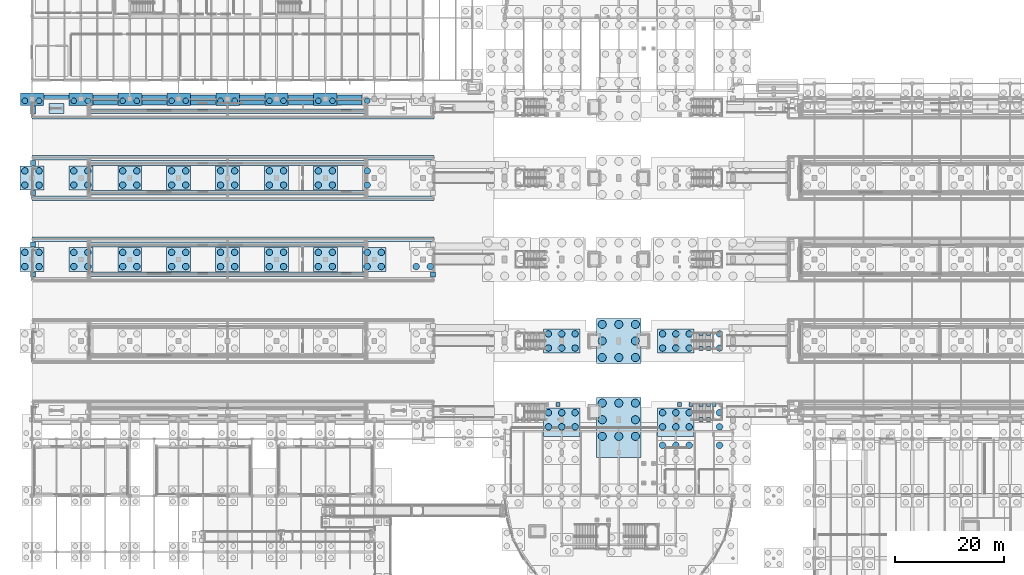
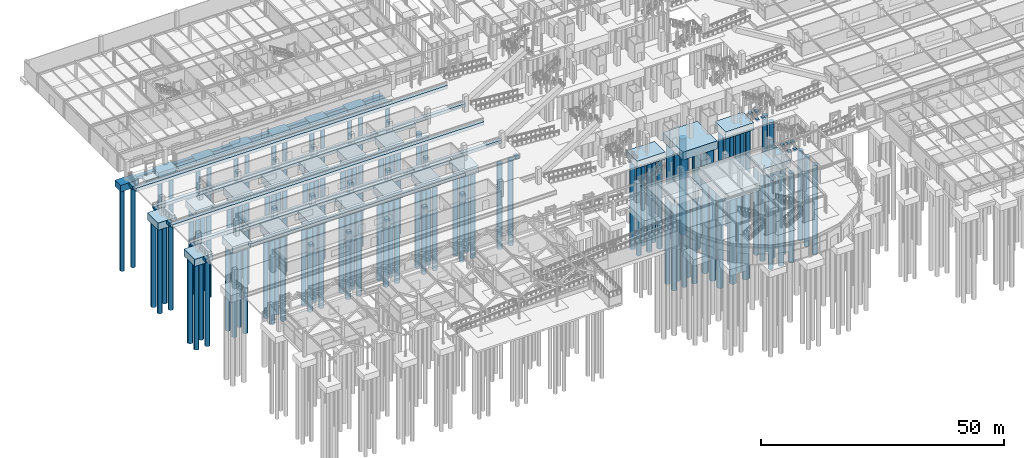
# One storey, part 3 of 160: 127 piles, 69 footings.
"""IFC4 building model written with IfcOpenShell, lengths in metres."""

from ifc_helpers import new_model, si_unit, direction, frame, origin, origin_2d, place, context, subcontext, project, spatial, rectangle, circle, extrude, material, material_profile, profile_set, type_object, element, save


model = new_model("IFC4")

# Units and contexts
model_context = context("Model", 3, precision=1e-05, world=origin(), true_north=direction((0.0, 1.0)))
body_context = subcontext(model_context, "Body", "Model", "MODEL_VIEW")
ifc_project = project(units=[si_unit("LENGTHUNIT", "METRE"), si_unit("AREAUNIT", "SQUARE_METRE"), si_unit("VOLUMEUNIT", "CUBIC_METRE"), si_unit("PLANEANGLEUNIT", "RADIAN"), si_unit("MASSUNIT", "GRAM", prefix="KILO")], contexts=[model_context])

# Site, building, storey
site_placement = place(None, origin())
site = spatial("IfcSite", under=ifc_project, at=site_placement, CompositionType="ELEMENT")
building_placement = place(site_placement, origin())
building = spatial("IfcBuilding", under=site, at=building_placement, Name="Marlcrest Central Station", CompositionType="ELEMENT")
storey_placement = place(building_placement, origin())
storey = spatial("IfcBuildingStorey", under=building, at=storey_placement, Name="L00", CompositionType="ELEMENT", Elevation=0.0)

# Piles
ifc_material_1 = material(Name="Concrete C35/45", Category="concrete")
ifc_material_profile_1 = material_profile(ifc_material_1, circle(Radius=0.52490234375, at=origin_2d()), Name="PILE D1050")
ifc_profile_set_1 = profile_set([ifc_material_profile_1], Name="Concrete C35/45")
pile_type_1 = type_object("IfcPileType", Name="BP-03", PredefinedType="BORED", material=ifc_profile_set_1)
for number, where, z_axis, x_axis, name in (
    (1, (-1.300048828125, 95.199951171875, -1.5), (0.0, 0.0, -1.0), (1.0, 0.0, 0.0), "pile-BP-03-0435"),
    (2, (1.300048828125, 95.199951171875, -1.5), (0.0, 0.0, -1.0), (1.0, 0.0, 0.0), "pile-BP-03-0436"),
    (3, (7.699951171875, 95.199951171875, -1.5), (0.0, 0.0, -1.0), (1.0, 0.0, 0.0), "pile-BP-03-0449"),
    (4, (10.300048828125, 95.199951171875, -1.5), (0.0, 0.0, -1.0), (1.0, 0.0, 0.0), "pile-BP-03-0450"),
    (5, (16.699951171875, 95.199951171875, -1.5), (0.0, 0.0, -1.0), (1.0, 0.0, 0.0), "pile-BP-03-0463"),
    (6, (19.300048828125, 95.199951171875, -1.5), (0.0, 0.0, -1.0), (1.0, 0.0, 0.0), "pile-BP-03-0464"),
    (7, (25.699951171875, 95.199951171875, -1.5), (0.0, 0.0, -1.0), (1.0, 0.0, 0.0), "pile-BP-03-0477"),
    (8, (28.300048828125, 95.199951171875, -1.5), (0.0, 0.0, -1.0), (1.0, 0.0, 0.0), "pile-BP-03-0478"),
    (9, (34.699951171875, 95.199951171875, -1.5), (0.0, 0.0, -1.0), (1.0, 0.0, 0.0), "pile-BP-03-0491"),
    (10, (37.300048828125, 95.199951171875, -1.5), (0.0, 0.0, -1.0), (1.0, 0.0, 0.0), "pile-BP-03-0492"),
    (11, (43.699951171875, 95.199951171875, -1.5), (0.0, 0.0, -1.0), (1.0, 0.0, 0.0), "pile-BP-03-0505"),
    (12, (46.300048828125, 95.199951171875, -1.5), (0.0, 0.0, -1.0), (1.0, 0.0, 0.0), "pile-BP-03-0506"),
    (13, (52.699951171875, 95.199951171875, -1.5), (0.0, 0.0, -1.0), (1.0, 0.0, 0.0), "pile-BP-03-0519"),
    (14, (55.300048828125, 95.199951171875, -1.5), (0.0, 0.0, -1.0), (1.0, 0.0, 0.0), "pile-BP-03-0520"),
    (15, (61.699951171875, 95.199951171875, -1.5), (0.0, 0.0, -1.0), (1.0, 0.0, 0.0), "pile-BP-03-0533"),
):
    element("IfcPile", number, at=place(storey_placement, frame(where, z_axis=z_axis, x_axis=x_axis)), inside=storey, type_object=pile_type_1, Name=name, PredefinedType="BORED", context=body_context, shape_type="SweptSolid", body=[
        extrude(circle(Radius=0.52490234375, at=origin_2d()), origin(), (0.0, 0.0, 1.0), 20.5),
    ])
ifc_material_profile_2 = material_profile(ifc_material_1, circle(Radius=0.60009765625, at=origin_2d()), Name="PILE D1200")
ifc_profile_set_2 = profile_set([ifc_material_profile_2], Name="Concrete C35/45")
pile_type_2 = type_object("IfcPileType", Name="BP-04", PredefinedType="BORED", material=ifc_profile_set_2)
for number, where, z_axis, x_axis, name in (
    (16, (-1.300048828125, 64.699951171875, -1.699951171875), (0.0, 0.0, -1.0), (1.0, 0.0, 0.0), "pile-BP-04-0427"),
    (17, (1.300048828125, 64.699951171875, -1.699951171875), (0.0, 0.0, -1.0), (1.0, 0.0, 0.0), "pile-BP-04-0428"),
    (18, (-1.300048828125, 67.300048828125, -1.699951171875), (0.0, 0.0, -1.0), (1.0, 0.0, 0.0), "pile-BP-04-0429"),
    (19, (1.300048828125, 67.300048828125, -1.699951171875), (0.0, 0.0, -1.0), (1.0, 0.0, 0.0), "pile-BP-04-0430"),
    (20, (-1.300048828125, 79.699951171875, -1.699951171875), (0.0, 0.0, -1.0), (1.0, 0.0, 0.0), "pile-BP-04-0431"),
    (21, (1.300048828125, 79.699951171875, -1.699951171875), (0.0, 0.0, -1.0), (1.0, 0.0, 0.0), "pile-BP-04-0432"),
    (22, (-1.300048828125, 82.300048828125, -1.699951171875), (0.0, 0.0, -1.0), (1.0, 0.0, 0.0), "pile-BP-04-0433"),
    (23, (1.300048828125, 82.300048828125, -1.699951171875), (0.0, 0.0, -1.0), (1.0, 0.0, 0.0), "pile-BP-04-0434"),
    (24, (7.699951171875, 64.699951171875, -1.699951171875), (0.0, 0.0, -1.0), (1.0, 0.0, 0.0), "pile-BP-04-0441"),
    (25, (10.300048828125, 64.699951171875, -1.699951171875), (0.0, 0.0, -1.0), (1.0, 0.0, 0.0), "pile-BP-04-0442"),
    (26, (7.699951171875, 67.300048828125, -1.699951171875), (0.0, 0.0, -1.0), (1.0, 0.0, 0.0), "pile-BP-04-0443"),
    (27, (10.300048828125, 67.300048828125, -1.699951171875), (0.0, 0.0, -1.0), (1.0, 0.0, 0.0), "pile-BP-04-0444"),
    (28, (7.699951171875, 79.699951171875, -1.699951171875), (0.0, 0.0, -1.0), (1.0, 0.0, 0.0), "pile-BP-04-0445"),
    (29, (10.300048828125, 79.699951171875, -1.699951171875), (0.0, 0.0, -1.0), (1.0, 0.0, 0.0), "pile-BP-04-0446"),
    (30, (7.699951171875, 82.300048828125, -1.699951171875), (0.0, 0.0, -1.0), (1.0, 0.0, 0.0), "pile-BP-04-0447"),
    (31, (10.300048828125, 82.300048828125, -1.699951171875), (0.0, 0.0, -1.0), (1.0, 0.0, 0.0), "pile-BP-04-0448"),
    (32, (16.699951171875, 64.699951171875, -1.699951171875), (0.0, 0.0, -1.0), (1.0, 0.0, 0.0), "pile-BP-04-0455"),
    (33, (19.300048828125, 64.699951171875, -1.699951171875), (0.0, 0.0, -1.0), (1.0, 0.0, 0.0), "pile-BP-04-0456"),
    (34, (16.699951171875, 67.300048828125, -1.699951171875), (0.0, 0.0, -1.0), (1.0, 0.0, 0.0), "pile-BP-04-0457"),
    (35, (19.300048828125, 67.300048828125, -1.699951171875), (0.0, 0.0, -1.0), (1.0, 0.0, 0.0), "pile-BP-04-0458"),
    (36, (16.699951171875, 79.699951171875, -1.699951171875), (0.0, 0.0, -1.0), (1.0, 0.0, 0.0), "pile-BP-04-0459"),
    (37, (19.300048828125, 79.699951171875, -1.699951171875), (0.0, 0.0, -1.0), (1.0, 0.0, 0.0), "pile-BP-04-0460"),
    (38, (16.699951171875, 82.300048828125, -1.699951171875), (0.0, 0.0, -1.0), (1.0, 0.0, 0.0), "pile-BP-04-0461"),
    (39, (19.300048828125, 82.300048828125, -1.699951171875), (0.0, 0.0, -1.0), (1.0, 0.0, 0.0), "pile-BP-04-0462"),
    (40, (25.699951171875, 64.699951171875, -1.699951171875), (0.0, 0.0, -1.0), (1.0, 0.0, 0.0), "pile-BP-04-0469"),
    (41, (28.300048828125, 64.699951171875, -1.699951171875), (0.0, 0.0, -1.0), (1.0, 0.0, 0.0), "pile-BP-04-0470"),
    (42, (25.699951171875, 67.300048828125, -1.699951171875), (0.0, 0.0, -1.0), (1.0, 0.0, 0.0), "pile-BP-04-0471"),
    (43, (28.300048828125, 67.300048828125, -1.699951171875), (0.0, 0.0, -1.0), (1.0, 0.0, 0.0), "pile-BP-04-0472"),
    (44, (25.699951171875, 79.699951171875, -1.699951171875), (0.0, 0.0, -1.0), (1.0, 0.0, 0.0), "pile-BP-04-0473"),
    (45, (28.300048828125, 79.699951171875, -1.699951171875), (0.0, 0.0, -1.0), (1.0, 0.0, 0.0), "pile-BP-04-0474"),
    (46, (25.699951171875, 82.300048828125, -1.699951171875), (0.0, 0.0, -1.0), (1.0, 0.0, 0.0), "pile-BP-04-0475"),
    (47, (28.300048828125, 82.300048828125, -1.699951171875), (0.0, 0.0, -1.0), (1.0, 0.0, 0.0), "pile-BP-04-0476"),
    (48, (34.699951171875, 64.699951171875, -1.699951171875), (0.0, 0.0, -1.0), (1.0, 0.0, 0.0), "pile-BP-04-0483"),
    (49, (37.300048828125, 64.699951171875, -1.699951171875), (0.0, 0.0, -1.0), (1.0, 0.0, 0.0), "pile-BP-04-0484"),
    (50, (34.699951171875, 67.300048828125, -1.699951171875), (0.0, 0.0, -1.0), (1.0, 0.0, 0.0), "pile-BP-04-0485"),
    (51, (37.300048828125, 67.300048828125, -1.699951171875), (0.0, 0.0, -1.0), (1.0, 0.0, 0.0), "pile-BP-04-0486"),
    (52, (34.699951171875, 79.699951171875, -1.699951171875), (0.0, 0.0, -1.0), (1.0, 0.0, 0.0), "pile-BP-04-0487"),
    (53, (37.300048828125, 79.699951171875, -1.699951171875), (0.0, 0.0, -1.0), (1.0, 0.0, 0.0), "pile-BP-04-0488"),
    (54, (34.699951171875, 82.300048828125, -1.699951171875), (0.0, 0.0, -1.0), (1.0, 0.0, 0.0), "pile-BP-04-0489"),
    (55, (37.300048828125, 82.300048828125, -1.699951171875), (0.0, 0.0, -1.0), (1.0, 0.0, 0.0), "pile-BP-04-0490"),
    (56, (43.699951171875, 64.699951171875, -1.699951171875), (0.0, 0.0, -1.0), (1.0, 0.0, 0.0), "pile-BP-04-0497"),
    (57, (46.300048828125, 64.699951171875, -1.699951171875), (0.0, 0.0, -1.0), (1.0, 0.0, 0.0), "pile-BP-04-0498"),
    (58, (43.699951171875, 67.300048828125, -1.699951171875), (0.0, 0.0, -1.0), (1.0, 0.0, 0.0), "pile-BP-04-0499"),
    (59, (46.300048828125, 67.300048828125, -1.699951171875), (0.0, 0.0, -1.0), (1.0, 0.0, 0.0), "pile-BP-04-0500"),
    (60, (43.699951171875, 79.699951171875, -1.699951171875), (0.0, 0.0, -1.0), (1.0, 0.0, 0.0), "pile-BP-04-0501"),
    (61, (46.300048828125, 79.699951171875, -1.699951171875), (0.0, 0.0, -1.0), (1.0, 0.0, 0.0), "pile-BP-04-0502"),
    (62, (43.699951171875, 82.300048828125, -1.699951171875), (0.0, 0.0, -1.0), (1.0, 0.0, 0.0), "pile-BP-04-0503"),
    (63, (46.300048828125, 82.300048828125, -1.699951171875), (0.0, 0.0, -1.0), (1.0, 0.0, 0.0), "pile-BP-04-0504"),
    (64, (52.699951171875, 64.699951171875, -1.699951171875), (0.0, 0.0, -1.0), (1.0, 0.0, 0.0), "pile-BP-04-0511"),
    (65, (55.300048828125, 64.699951171875, -1.699951171875), (0.0, 0.0, -1.0), (1.0, 0.0, 0.0), "pile-BP-04-0512"),
    (66, (52.699951171875, 67.300048828125, -1.699951171875), (0.0, 0.0, -1.0), (1.0, 0.0, 0.0), "pile-BP-04-0513"),
    (67, (55.300048828125, 67.300048828125, -1.699951171875), (0.0, 0.0, -1.0), (1.0, 0.0, 0.0), "pile-BP-04-0514"),
    (68, (52.699951171875, 79.699951171875, -1.699951171875), (0.0, 0.0, -1.0), (1.0, 0.0, 0.0), "pile-BP-04-0515"),
    (69, (55.300048828125, 79.699951171875, -1.699951171875), (0.0, 0.0, -1.0), (1.0, 0.0, 0.0), "pile-BP-04-0516"),
    (70, (52.699951171875, 82.300048828125, -1.699951171875), (0.0, 0.0, -1.0), (1.0, 0.0, 0.0), "pile-BP-04-0517"),
    (71, (55.300048828125, 82.300048828125, -1.699951171875), (0.0, 0.0, -1.0), (1.0, 0.0, 0.0), "pile-BP-04-0518"),
    (72, (61.699951171875, 64.699951171875, -1.699951171875), (0.0, 0.0, -1.0), (1.0, 0.0, 0.0), "pile-BP-04-0525"),
    (73, (64.300048828125, 64.699951171875, -1.699951171875), (0.0, 0.0, -1.0), (1.0, 0.0, 0.0), "pile-BP-04-0526"),
    (74, (61.699951171875, 67.300048828125, -1.699951171875), (0.0, 0.0, -1.0), (1.0, 0.0, 0.0), "pile-BP-04-0527"),
    (75, (64.300048828125, 67.300048828125, -1.699951171875), (0.0, 0.0, -1.0), (1.0, 0.0, 0.0), "pile-BP-04-0528"),
    (76, (61.699951171875, 79.699951171875, -1.699951171875), (0.0, 0.0, -1.0), (1.0, 0.0, 0.0), "pile-BP-04-0529"),
    (77, (61.699951171875, 82.300048828125, -1.699951171875), (0.0, 0.0, -1.0), (1.0, 0.0, 0.0), "pile-BP-04-0531"),
    (78, (70.699951171875, 64.699951171875, -1.699951171875), (0.0, 0.0, -1.0), (1.0, 0.0, 0.0), "pile-BP-04-0543"),
    (79, (73.300048828125, 64.699951171875, -1.699951171875), (0.0, 0.0, -1.0), (1.0, 0.0, 0.0), "pile-BP-04-0544"),
):
    element("IfcPile", number, at=place(storey_placement, frame(where, z_axis=z_axis, x_axis=x_axis)), inside=storey, type_object=pile_type_2, Name=name, PredefinedType="BORED", context=body_context, shape_type="SweptSolid", body=[
        extrude(circle(Radius=0.60009765625, at=origin_2d()), origin(), (0.0, 0.0, 1.0), 21.5),
    ])
for number, where, z_axis, x_axis, name in (
    (80, (95.050048828125, 35.199951171875, -1.699951171875), (0.0, 0.0, -1.0), (1.0, 0.0, 0.0), "pile-BP-04-0733"),
    (81, (97.5, 35.199951171875, -1.699951171875), (0.0, 0.0, -1.0), (1.0, 0.0, 0.0), "pile-BP-04-0734"),
    (82, (99.949951171875, 35.199951171875, -1.699951171875), (0.0, 0.0, -1.0), (1.0, 0.0, 0.0), "pile-BP-04-0735"),
    (83, (95.050048828125, 37.800048828125, -1.699951171875), (0.0, 0.0, -1.0), (1.0, 0.0, 0.0), "pile-BP-04-0736"),
    (84, (97.5, 37.800048828125, -1.699951171875), (0.0, 0.0, -1.0), (1.0, 0.0, 0.0), "pile-BP-04-0737"),
    (85, (99.949951171875, 37.800048828125, -1.699951171875), (0.0, 0.0, -1.0), (1.0, 0.0, 0.0), "pile-BP-04-0738"),
    (86, (95.050048828125, 49.699951171875, -1.699951171875), (0.0, 0.0, -1.0), (1.0, 0.0, 0.0), "pile-BP-04-0739"),
    (87, (97.5, 49.699951171875, -1.699951171875), (0.0, 0.0, -1.0), (1.0, 0.0, 0.0), "pile-BP-04-0740"),
    (88, (99.949951171875, 49.699951171875, -1.699951171875), (0.0, 0.0, -1.0), (1.0, 0.0, 0.0), "pile-BP-04-0741"),
    (89, (95.050048828125, 52.300048828125, -1.699951171875), (0.0, 0.0, -1.0), (1.0, 0.0, 0.0), "pile-BP-04-0742"),
    (90, (97.5, 52.300048828125, -1.699951171875), (0.0, 0.0, -1.0), (1.0, 0.0, 0.0), "pile-BP-04-0743"),
    (91, (99.949951171875, 52.300048828125, -1.699951171875), (0.0, 0.0, -1.0), (1.0, 0.0, 0.0), "pile-BP-04-0744"),
    (92, (116.050048828125, 35.199951171875, -1.699951171875), (0.0, 0.0, -1.0), (1.0, 0.0, 0.0), "pile-BP-04-0805"),
    (93, (118.5, 35.199951171875, -1.699951171875), (0.0, 0.0, -1.0), (1.0, 0.0, 0.0), "pile-BP-04-0806"),
    (94, (120.949951171875, 35.199951171875, -1.699951171875), (0.0, 0.0, -1.0), (1.0, 0.0, 0.0), "pile-BP-04-0807"),
    (95, (116.050048828125, 37.800048828125, -1.699951171875), (0.0, 0.0, -1.0), (1.0, 0.0, 0.0), "pile-BP-04-0808"),
    (96, (118.5, 37.800048828125, -1.699951171875), (0.0, 0.0, -1.0), (1.0, 0.0, 0.0), "pile-BP-04-0809"),
    (97, (120.949951171875, 37.800048828125, -1.699951171875), (0.0, 0.0, -1.0), (1.0, 0.0, 0.0), "pile-BP-04-0810"),
    (98, (116.050048828125, 49.699951171875, -1.699951171875), (0.0, 0.0, -1.0), (1.0, 0.0, 0.0), "pile-BP-04-0811"),
    (99, (118.5, 49.699951171875, -1.699951171875), (0.0, 0.0, -1.0), (1.0, 0.0, 0.0), "pile-BP-04-0812"),
    (100, (120.949951171875, 49.699951171875, -1.699951171875), (0.0, 0.0, -1.0), (1.0, 0.0, 0.0), "pile-BP-04-0813"),
    (101, (116.050048828125, 52.300048828125, -1.699951171875), (0.0, 0.0, -1.0), (1.0, 0.0, 0.0), "pile-BP-04-0814"),
    (102, (118.5, 52.300048828125, -1.699951171875), (0.0, 0.0, -1.0), (1.0, 0.0, 0.0), "pile-BP-04-0815"),
    (103, (120.949951171875, 52.300048828125, -1.699951171875), (0.0, 0.0, -1.0), (1.0, 0.0, 0.0), "pile-BP-04-0816"),
    (104, (126.550048828125, 35.199951171875, -1.699951171875), (0.0, 0.0, -1.0), (1.0, 0.0, 0.0), "pile-BP-04-0837"),
    (105, (126.550048828125, 37.800048828125, -1.699951171875), (0.0, 0.0, -1.0), (1.0, 0.0, 0.0), "pile-BP-04-0840"),
    (106, (126.550048828125, 49.699951171875, -1.699951171875), (0.0, 0.0, -1.0), (1.0, 0.0, 0.0), "pile-BP-04-0843"),
    (107, (126.550048828125, 52.300048828125, -1.699951171875), (0.0, 0.0, -1.0), (1.0, 0.0, 0.0), "pile-BP-04-0846"),
    (108, (116.050048828125, 31.800048828125, -1.699951171875), (0.0, 0.0, -1.0), (1.0, 0.0, 0.0), "pile-BP-04-0902"),
    (109, (118.5, 31.800048828125, -1.699951171875), (0.0, 0.0, -1.0), (1.0, 0.0, 0.0), "pile-BP-04-0903"),
    (110, (120.949951171875, 31.800048828125, -1.699951171875), (0.0, 0.0, -1.0), (1.0, 0.0, 0.0), "pile-BP-04-0904"),
    (111, (126.550048828125, 31.800048828125, -1.699951171875), (0.0, 0.0, -1.0), (1.0, 0.0, 0.0), "pile-BP-04-0908"),
):
    element("IfcPile", number, at=place(storey_placement, frame(where, z_axis=z_axis, x_axis=x_axis)), inside=storey, type_object=pile_type_2, Name=name, PredefinedType="BORED", context=body_context, shape_type="SweptSolid", body=[
        extrude(circle(Radius=0.60009765625, at=origin_2d()), origin(), (0.0, 0.0, 1.0), 22.5),
    ])
ifc_material_profile_3 = material_profile(ifc_material_1, circle(Radius=0.75, at=origin_2d()), Name="PILE D1500")
ifc_profile_set_3 = profile_set([ifc_material_profile_3], Name="Concrete C35/45")
pile_type_3 = type_object("IfcPileType", Name="BP-06", PredefinedType="BORED", material=ifc_profile_set_3)
for number, where, z_axis, x_axis, name in (
    (112, (104.949951171875, 33.449951171875, -1.89990234375), (0.0, 0.0, -1.0), (1.0, 0.0, 0.0), "pile-BP-06-0765"),
    (113, (108.0, 33.449951171875, -1.89990234375), (0.0, 0.0, -1.0), (1.0, 0.0, 0.0), "pile-BP-06-0766"),
    (114, (111.050048828125, 33.449951171875, -1.89990234375), (0.0, 0.0, -1.0), (1.0, 0.0, 0.0), "pile-BP-06-0767"),
    (115, (104.949951171875, 36.5, -1.89990234375), (0.0, 0.0, -1.0), (1.0, 0.0, 0.0), "pile-BP-06-0768"),
    (116, (111.050048828125, 36.5, -1.89990234375), (0.0, 0.0, -1.0), (1.0, 0.0, 0.0), "pile-BP-06-0769"),
    (117, (104.949951171875, 39.550048828125, -1.89990234375), (0.0, 0.0, -1.0), (1.0, 0.0, 0.0), "pile-BP-06-0770"),
    (118, (108.0, 39.550048828125, -1.89990234375), (0.0, 0.0, -1.0), (1.0, 0.0, 0.0), "pile-BP-06-0771"),
    (119, (111.050048828125, 39.550048828125, -1.89990234375), (0.0, 0.0, -1.0), (1.0, 0.0, 0.0), "pile-BP-06-0772"),
    (120, (104.949951171875, 47.949951171875, -1.89990234375), (0.0, 0.0, -1.0), (1.0, 0.0, 0.0), "pile-BP-06-0773"),
    (121, (108.0, 47.949951171875, -1.89990234375), (0.0, 0.0, -1.0), (1.0, 0.0, 0.0), "pile-BP-06-0774"),
    (122, (111.050048828125, 47.949951171875, -1.89990234375), (0.0, 0.0, -1.0), (1.0, 0.0, 0.0), "pile-BP-06-0775"),
    (123, (104.949951171875, 51.0, -1.89990234375), (0.0, 0.0, -1.0), (1.0, 0.0, 0.0), "pile-BP-06-0776"),
    (124, (111.050048828125, 51.0, -1.89990234375), (0.0, 0.0, -1.0), (1.0, 0.0, 0.0), "pile-BP-06-0777"),
    (125, (104.949951171875, 54.050048828125, -1.89990234375), (0.0, 0.0, -1.0), (1.0, 0.0, 0.0), "pile-BP-06-0778"),
    (126, (108.0, 54.050048828125, -1.89990234375), (0.0, 0.0, -1.0), (1.0, 0.0, 0.0), "pile-BP-06-0779"),
    (127, (111.050048828125, 54.050048828125, -1.89990234375), (0.0, 0.0, -1.0), (1.0, 0.0, 0.0), "pile-BP-06-0780"),
):
    element("IfcPile", number, at=place(storey_placement, frame(where, z_axis=z_axis, x_axis=x_axis)), inside=storey, type_object=pile_type_3, Name=name, PredefinedType="BORED", context=body_context, shape_type="SweptSolid", body=[
        extrude(circle(Radius=0.75, at=origin_2d()), origin(), (0.0, 0.0, 1.0), 24.0),
    ])

# Footings
ifc_material_2 = material(Name="Concrete C40/50", Category="concrete")
footing_type_1 = type_object("IfcFootingType", Name="PC-03", PredefinedType="PILE_CAP", material=ifc_material_2)
for number, where, z_axis, x_axis, name in (
    (128, (0.0, 95.5, -1.60009765625), (0.0, 0.0, 1.0), (1.0, 0.0, 0.0), "ftg-cap-0111"),
    (129, (9.0, 95.5, -1.60009765625), (0.0, 0.0, 1.0), (1.0, 0.0, 0.0), "ftg-cap-0115"),
    (130, (18.0, 95.5, -1.60009765625), (0.0, 0.0, 1.0), (1.0, 0.0, 0.0), "ftg-cap-0119"),
    (131, (27.0, 95.5, -1.60009765625), (0.0, 0.0, 1.0), (1.0, 0.0, 0.0), "ftg-cap-0123"),
    (132, (36.0, 95.5, -1.60009765625), (0.0, 0.0, 1.0), (1.0, 0.0, 0.0), "ftg-cap-0127"),
    (133, (45.0, 95.5, -1.60009765625), (0.0, 0.0, 1.0), (1.0, 0.0, 0.0), "ftg-cap-0131"),
    (134, (54.0, 95.5, -1.60009765625), (0.0, 0.0, 1.0), (1.0, 0.0, 0.0), "ftg-cap-0135"),
):
    element("IfcFooting", number, at=place(storey_placement, frame(where, z_axis=z_axis, x_axis=x_axis)), inside=storey, type_object=footing_type_1, Name=name, PredefinedType="PILE_CAP", context=body_context, shape_type="SweptSolid", body=[
        extrude(rectangle(XDim=4.300048828125, YDim=2.300048828125, at=origin_2d()), origin(), (0.0, 0.0, 1.0), 1.60009765625),
    ])
footing_type_2 = type_object("IfcFootingType", Name="PC-04", PredefinedType="PILE_CAP", material=ifc_material_2)
for number, where, z_axis, x_axis, name in (
    (135, (0.0, 66.0, -1.7998046875), (0.0, 0.0, 1.0), (1.0, 0.0, 0.0), "ftg-cap-0109"),
    (136, (0.0, 81.0, -1.7998046875), (0.0, 0.0, 1.0), (1.0, 0.0, 0.0), "ftg-cap-0110"),
    (137, (9.0, 66.0, -1.7998046875), (0.0, 0.0, 1.0), (1.0, 0.0, 0.0), "ftg-cap-0113"),
    (138, (9.0, 81.0, -1.7998046875), (0.0, 0.0, 1.0), (1.0, 0.0, 0.0), "ftg-cap-0114"),
    (139, (18.0, 66.0, -1.7998046875), (0.0, 0.0, 1.0), (1.0, 0.0, 0.0), "ftg-cap-0117"),
    (140, (18.0, 81.0, -1.7998046875), (0.0, 0.0, 1.0), (1.0, 0.0, 0.0), "ftg-cap-0118"),
    (141, (27.0, 66.0, -1.7998046875), (0.0, 0.0, 1.0), (1.0, 0.0, 0.0), "ftg-cap-0121"),
    (142, (27.0, 81.0, -1.7998046875), (0.0, 0.0, 1.0), (1.0, 0.0, 0.0), "ftg-cap-0122"),
    (143, (36.0, 66.0, -1.7998046875), (0.0, 0.0, 1.0), (1.0, 0.0, 0.0), "ftg-cap-0125"),
    (144, (36.0, 81.0, -1.7998046875), (0.0, 0.0, 1.0), (1.0, 0.0, 0.0), "ftg-cap-0126"),
    (145, (45.0, 66.0, -1.7998046875), (0.0, 0.0, 1.0), (1.0, 0.0, 0.0), "ftg-cap-0129"),
    (146, (45.0, 81.0, -1.7998046875), (0.0, 0.0, 1.0), (1.0, 0.0, 0.0), "ftg-cap-0130"),
    (147, (54.0, 66.0, -1.7998046875), (0.0, 0.0, 1.0), (1.0, 0.0, 0.0), "ftg-cap-0133"),
    (148, (54.0, 81.0, -1.7998046875), (0.0, 0.0, 1.0), (1.0, 0.0, 0.0), "ftg-cap-0134"),
    (149, (63.0, 66.0, -1.7998046875), (0.0, 0.0, 1.0), (1.0, 0.0, 0.0), "ftg-cap-0137"),
):
    element("IfcFooting", number, at=place(storey_placement, frame(where, z_axis=z_axis, x_axis=x_axis)), inside=storey, type_object=footing_type_2, Name=name, PredefinedType="PILE_CAP", context=body_context, shape_type="SweptSolid", body=[
        extrude(rectangle(XDim=4.39990234375, YDim=4.39990234375, at=origin_2d()), origin(), (0.0, 0.0, 1.0), 1.800048828125),
    ])
footing_type_3 = type_object("IfcFootingType", Name="PC-05", PredefinedType="PILE_CAP", material=ifc_material_2)
footing_1_placement = place(storey_placement, frame((97.5, 36.074951171875, -1.7998046875), z_axis=(0.0, 0.0, 1.0), x_axis=(1.0, 0.0, 0.0)))
element("IfcFooting", 150, at=footing_1_placement, inside=storey, type_object=footing_type_3, Name="ftg-cap-0188", PredefinedType="PILE_CAP", context=body_context, shape_type="SweptSolid", body=[
    extrude(rectangle(XDim=6.699951171875, YDim=5.25, at=origin_2d()), origin(), (0.0, 0.0, 1.0), 1.800048828125),
])
footing_2_placement = place(storey_placement, frame((97.5, 51.0, -1.7998046875), z_axis=(0.0, 0.0, 1.0), x_axis=(1.0, 0.0, 0.0)))
element("IfcFooting", 151, at=footing_2_placement, inside=storey, type_object=footing_type_3, Name="ftg-cap-0189", PredefinedType="PILE_CAP", context=body_context, shape_type="SweptSolid", body=[
    extrude(rectangle(XDim=6.699951171875, YDim=4.39990234375, at=origin_2d()), origin(), (0.0, 0.0, 1.0), 1.800048828125),
])
footing_3_placement = place(storey_placement, frame((118.5, 36.074951171875, -1.7998046875), z_axis=(0.0, 0.0, 1.0), x_axis=(1.0, 0.0, 0.0)))
element("IfcFooting", 152, at=footing_3_placement, inside=storey, type_object=footing_type_3, Name="ftg-cap-0198", PredefinedType="PILE_CAP", context=body_context, shape_type="SweptSolid", body=[
    extrude(rectangle(XDim=6.699951171875, YDim=5.25, at=origin_2d()), origin(), (0.0, 0.0, 1.0), 1.800048828125),
])
footing_4_placement = place(storey_placement, frame((118.5, 51.0, -1.7998046875), z_axis=(0.0, 0.0, 1.0), x_axis=(1.0, 0.0, 0.0)))
element("IfcFooting", 153, at=footing_4_placement, inside=storey, type_object=footing_type_3, Name="ftg-cap-0199", PredefinedType="PILE_CAP", context=body_context, shape_type="SweptSolid", body=[
    extrude(rectangle(XDim=6.699951171875, YDim=4.39990234375, at=origin_2d()), origin(), (0.0, 0.0, 1.0), 1.800048828125),
])
footing_type_4 = type_object("IfcFootingType", Name="PC-06", PredefinedType="PILE_CAP", material=ifc_material_2)
footing_5_placement = place(storey_placement, frame((108.0, 35.074951171875, -2.0), z_axis=(0.0, 0.0, 1.0), x_axis=(1.0, 0.0, 0.0)))
element("IfcFooting", 154, at=footing_5_placement, inside=storey, type_object=footing_type_4, Name="ftg-cap-0193", PredefinedType="PILE_CAP", context=body_context, shape_type="SweptSolid", body=[
    extrude(rectangle(XDim=8.199951171875, YDim=11.050048828125, at=origin_2d()), origin(), (0.0, 0.0, 1.0), 2.0),
])
footing_6_placement = place(storey_placement, frame((108.0, 51.0, -2.0), z_axis=(0.0, 0.0, 1.0), x_axis=(1.0, 0.0, 0.0)))
element("IfcFooting", 155, at=footing_6_placement, inside=storey, type_object=footing_type_4, Name="ftg-cap-0194", PredefinedType="PILE_CAP", context=body_context, shape_type="SweptSolid", body=[
    extrude(rectangle(XDim=8.199951171875, YDim=8.199951171875, at=origin_2d()), origin(), (0.0, 0.0, 1.0), 2.0),
])
footing_type_5 = type_object("IfcFootingType", Name="PF-01", PredefinedType="PAD_FOOTING", material=ifc_material_2)
footing_7_placement = place(storey_placement, frame((4.5, 93.800048828125, -0.550048828125), z_axis=(0.0, 0.0, 1.0), x_axis=(1.0, 0.0, 0.0)))
element("IfcFooting", 156, at=footing_7_placement, inside=storey, type_object=footing_type_5, Name="ftg-pad-ap-0-1", PredefinedType="PAD_FOOTING", context=body_context, shape_type="SweptSolid", body=[
    extrude(rectangle(XDim=2.800048828125, YDim=1.800048828125, at=origin_2d()), origin(), (0.0, 0.0, 1.0), 0.75),
])
footing_type_6 = type_object("IfcFootingType", Name="PF-03", PredefinedType="PAD_FOOTING", material=ifc_material_2)
for number, where, z_axis, x_axis, name in (
    (157, (96.820068359375, 39.300048828125, -0.43994140625), (0.0, 0.0, 1.0), (1.0, 0.0, 0.0), "stftg-tr-0001-968-393"),
    (158, (119.179931640625, 39.300048828125, -0.43994140625), (0.0, 0.0, 1.0), (1.0, 0.0, 0.0), "stftg-tr-0004-1191-393"),
    (159, (121.320068359375, 39.300048828125, -0.43994140625), (0.0, 0.0, 1.0), (1.0, 0.0, 0.0), "stftg-tr-0004-1213-393"),
    (160, (125.510009765625, 39.300048828125, -0.43994140625), (0.0, 0.0, 1.0), (1.0, 0.0, 0.0), "stftg-lo-0005-1255-393"),
    (161, (123.139892578125, 36.580078125, -0.43994140625), (0.0, 0.0, 1.0), (1.0, 0.0, 0.0), "stftg-hi0-0006-1231-365"),
    (162, (123.139892578125, 39.320068359375, -0.43994140625), (0.0, 0.0, 1.0), (1.0, 0.0, 0.0), "stftg-hi0-0006-1231-393"),
    (163, (124.5, 36.580078125, -0.43994140625), (0.0, 0.0, 1.0), (1.0, 0.0, 0.0), "stftg-hi0-0006-1245-365"),
    (164, (124.5, 39.320068359375, -0.43994140625), (0.0, 0.0, 1.0), (1.0, 0.0, 0.0), "stftg-hi0-0006-1245-393"),
    (165, (123.139892578125, 49.6298828125, -0.43994140625), (0.0, 0.0, 1.0), (1.0, 0.0, 0.0), "stftg-hi0-0012-1231-496"),
    (166, (123.139892578125, 52.3701171875, -0.43994140625), (0.0, 0.0, 1.0), (1.0, 0.0, 0.0), "stftg-hi0-0012-1231-523"),
    (167, (124.5, 49.6298828125, -0.43994140625), (0.0, 0.0, 1.0), (1.0, 0.0, 0.0), "stftg-hi0-0012-1245-496"),
    (168, (124.5, 52.3701171875, -0.43994140625), (0.0, 0.0, 1.0), (1.0, 0.0, 0.0), "stftg-hi0-0012-1245-523"),
):
    element("IfcFooting", number, at=place(storey_placement, frame(where, z_axis=z_axis, x_axis=x_axis)), inside=storey, type_object=footing_type_6, Name=name, PredefinedType="PAD_FOOTING", context=body_context, shape_type="SweptSolid", body=[
        extrude(rectangle(XDim=0.75, YDim=0.75, at=origin_2d()), origin(), (0.0, 0.0, 1.0), 0.43994140625),
    ])
footing_type_7 = type_object("IfcFootingType", Name="SF-01", PredefinedType="STRIP_FOOTING", material=ifc_material_2)
footing_8_placement = place(storey_placement, frame((37.0, 69.75, -0.7998046875), z_axis=(0.0, 0.0, 1.0), x_axis=(1.0, 0.0, 0.0)))
element("IfcFooting", 169, at=footing_8_placement, inside=storey, type_object=footing_type_7, Name="ftg-pw-0063", PredefinedType="STRIP_FOOTING", context=body_context, shape_type="SweptSolid", body=[
    extrude(rectangle(XDim=73.9599609375, YDim=0.85009765625, at=origin_2d()), origin(), (0.0, 0.0, 1.0), 0.800048828125),
])
for number, where, z_axis, x_axis, name in (
    (170, (36.0, 63.25, -0.7998046875), (0.0, 0.0, 1.0), (1.0, 0.0, 0.0), "ftg-pw-0064"),
    (171, (36.0, 68.75, -0.7998046875), (0.0, 0.0, 1.0), (1.0, 0.0, 0.0), "ftg-pw-0065"),
):
    element("IfcFooting", number, at=place(storey_placement, frame(where, z_axis=z_axis, x_axis=x_axis)), inside=storey, type_object=footing_type_7, Name=name, PredefinedType="STRIP_FOOTING", context=body_context, shape_type="SweptSolid", body=[
        extrude(rectangle(XDim=50.9599609375, YDim=0.85009765625, at=origin_2d()), origin(), (0.0, 0.0, 1.0), 0.800048828125),
    ])
for number, where, z_axis, x_axis, name in (
    (172, (0.199951171875, 63.237060546875, -0.7998046875), (0.0, 0.0, 1.0), (1.0, 0.0, 0.0), "ftg-pw-0066"),
    (173, (0.199951171875, 68.762939453125, -0.7998046875), (0.0, 0.0, 1.0), (1.0, 0.0, 0.0), "ftg-pw-0067"),
    (174, (73.800048828125, 63.237060546875, -0.7998046875), (0.0, 0.0, 1.0), (1.0, 0.0, 0.0), "ftg-pw-0068"),
):
    element("IfcFooting", number, at=place(storey_placement, frame(where, z_axis=z_axis, x_axis=x_axis)), inside=storey, type_object=footing_type_7, Name=name, PredefinedType="STRIP_FOOTING", context=body_context, shape_type="SweptSolid", body=[
        extrude(rectangle(XDim=0.85009765625, YDim=0.985107421875, at=origin_2d()), origin(), (0.0, 0.0, 1.0), 0.800048828125),
    ])
for number, where, z_axis, x_axis, name in (
    (175, (37.0, 77.25, -0.7998046875), (0.0, 0.0, 1.0), (1.0, 0.0, 0.0), "ftg-pw-0080"),
    (176, (37.0, 84.75, -0.7998046875), (0.0, 0.0, 1.0), (1.0, 0.0, 0.0), "ftg-pw-0081"),
):
    element("IfcFooting", number, at=place(storey_placement, frame(where, z_axis=z_axis, x_axis=x_axis)), inside=storey, type_object=footing_type_7, Name=name, PredefinedType="STRIP_FOOTING", context=body_context, shape_type="SweptSolid", body=[
        extrude(rectangle(XDim=73.9599609375, YDim=0.85009765625, at=origin_2d()), origin(), (0.0, 0.0, 1.0), 0.800048828125),
    ])
for number, where, z_axis, x_axis, name in (
    (177, (36.0, 78.25, -0.7998046875), (0.0, 0.0, 1.0), (1.0, 0.0, 0.0), "ftg-pw-0082"),
    (178, (36.0, 83.75, -0.7998046875), (0.0, 0.0, 1.0), (1.0, 0.0, 0.0), "ftg-pw-0083"),
):
    element("IfcFooting", number, at=place(storey_placement, frame(where, z_axis=z_axis, x_axis=x_axis)), inside=storey, type_object=footing_type_7, Name=name, PredefinedType="STRIP_FOOTING", context=body_context, shape_type="SweptSolid", body=[
        extrude(rectangle(XDim=50.9599609375, YDim=0.85009765625, at=origin_2d()), origin(), (0.0, 0.0, 1.0), 0.800048828125),
    ])
for number, where, z_axis, x_axis, name in (
    (179, (0.199951171875, 78.237060546875, -0.7998046875), (0.0, 0.0, 1.0), (1.0, 0.0, 0.0), "ftg-pw-0084"),
    (180, (0.199951171875, 83.762939453125, -0.7998046875), (0.0, 0.0, 1.0), (1.0, 0.0, 0.0), "ftg-pw-0085"),
):
    element("IfcFooting", number, at=place(storey_placement, frame(where, z_axis=z_axis, x_axis=x_axis)), inside=storey, type_object=footing_type_7, Name=name, PredefinedType="STRIP_FOOTING", context=body_context, shape_type="SweptSolid", body=[
        extrude(rectangle(XDim=0.85009765625, YDim=0.985107421875, at=origin_2d()), origin(), (0.0, 0.0, 1.0), 0.800048828125),
    ])
footing_9_placement = place(storey_placement, frame((37.0, 92.25, -0.7998046875), z_axis=(0.0, 0.0, 1.0), x_axis=(1.0, 0.0, 0.0)))
element("IfcFooting", 181, at=footing_9_placement, inside=storey, type_object=footing_type_7, Name="ftg-pw-0098", PredefinedType="STRIP_FOOTING", context=body_context, shape_type="SweptSolid", body=[
    extrude(rectangle(XDim=73.9599609375, YDim=0.85009765625, at=origin_2d()), origin(), (0.0, 0.0, 1.0), 0.800048828125),
])
for number, where, z_axis, x_axis, name in (
    (182, (4.5, 95.85009765625, -0.7998046875), (0.0, 0.0, 1.0), (1.0, 0.0, 0.0), "ftg-pw-0099"),
    (183, (13.5, 95.85009765625, -0.7998046875), (0.0, 0.0, 1.0), (1.0, 0.0, 0.0), "ftg-pw-0100"),
    (184, (22.5, 95.85009765625, -0.7998046875), (0.0, 0.0, 1.0), (1.0, 0.0, 0.0), "ftg-pw-0101"),
    (185, (31.5, 95.85009765625, -0.7998046875), (0.0, 0.0, 1.0), (1.0, 0.0, 0.0), "ftg-pw-0102"),
    (186, (40.5, 95.85009765625, -0.7998046875), (0.0, 0.0, 1.0), (1.0, 0.0, 0.0), "ftg-pw-0103"),
    (187, (49.5, 95.85009765625, -0.7998046875), (0.0, 0.0, 1.0), (1.0, 0.0, 0.0), "ftg-pw-0104"),
    (188, (58.5, 95.85009765625, -0.7998046875), (0.0, 0.0, 1.0), (1.0, 0.0, 0.0), "ftg-pw-0105"),
):
    element("IfcFooting", number, at=place(storey_placement, frame(where, z_axis=z_axis, x_axis=x_axis)), inside=storey, type_object=footing_type_7, Name=name, PredefinedType="STRIP_FOOTING", context=body_context, shape_type="SweptSolid", body=[
        extrude(rectangle(XDim=4.56005859375, YDim=0.85009765625, at=origin_2d()), origin(), (0.0, 0.0, 1.0), 0.800048828125),
    ])
footing_10_placement = place(storey_placement, frame((36.0, 93.25, -0.7998046875), z_axis=(0.0, 0.0, 1.0), x_axis=(1.0, 0.0, 0.0)))
element("IfcFooting", 189, at=footing_10_placement, inside=storey, type_object=footing_type_7, Name="ftg-pw-0107", PredefinedType="STRIP_FOOTING", context=body_context, shape_type="SweptSolid", body=[
    extrude(rectangle(XDim=50.9599609375, YDim=0.85009765625, at=origin_2d()), origin(), (0.0, 0.0, 1.0), 0.800048828125),
])
for number, where, z_axis, x_axis, name in (
    (190, (13.5, 94.85009765625, -0.7998046875), (0.0, 0.0, 1.0), (1.0, 0.0, 0.0), "ftg-pw-0108"),
    (191, (22.5, 94.85009765625, -0.7998046875), (0.0, 0.0, 1.0), (1.0, 0.0, 0.0), "ftg-pw-0109"),
    (192, (31.5, 94.85009765625, -0.7998046875), (0.0, 0.0, 1.0), (1.0, 0.0, 0.0), "ftg-pw-0110"),
    (193, (40.5, 94.85009765625, -0.7998046875), (0.0, 0.0, 1.0), (1.0, 0.0, 0.0), "ftg-pw-0111"),
    (194, (49.5, 94.85009765625, -0.7998046875), (0.0, 0.0, 1.0), (1.0, 0.0, 0.0), "ftg-pw-0112"),
    (195, (58.5, 94.85009765625, -0.7998046875), (0.0, 0.0, 1.0), (1.0, 0.0, 0.0), "ftg-pw-0113"),
):
    element("IfcFooting", number, at=place(storey_placement, frame(where, z_axis=z_axis, x_axis=x_axis)), inside=storey, type_object=footing_type_7, Name=name, PredefinedType="STRIP_FOOTING", context=body_context, shape_type="SweptSolid", body=[
        extrude(rectangle(XDim=4.56005859375, YDim=0.85009765625, at=origin_2d()), origin(), (0.0, 0.0, 1.0), 0.800048828125),
    ])
footing_11_placement = place(storey_placement, frame((0.199951171875, 93.511962890625, -0.7998046875), z_axis=(0.0, 0.0, 1.0), x_axis=(1.0, 0.0, 0.0)))
element("IfcFooting", 196, at=footing_11_placement, inside=storey, type_object=footing_type_7, Name="ftg-pw-0114", PredefinedType="STRIP_FOOTING", context=body_context, shape_type="SweptSolid", body=[
    extrude(rectangle(XDim=0.85009765625, YDim=1.534912109375, at=origin_2d()), origin(), (0.0, 0.0, 1.0), 0.800048828125),
])

save(model, "model.ifc")
